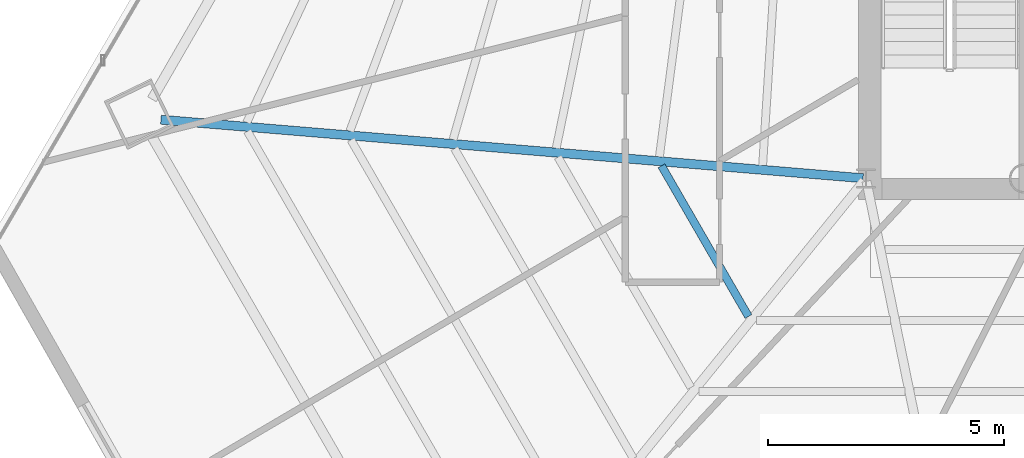
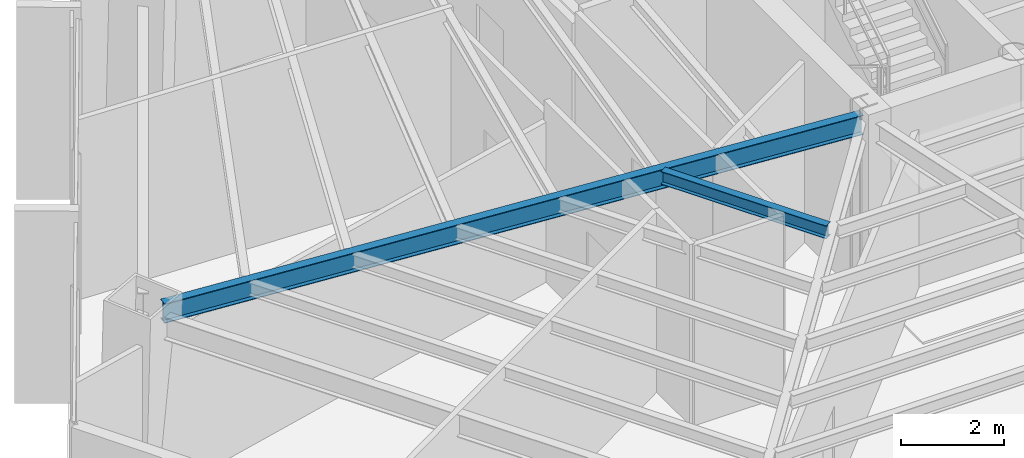
# One storey, part 5 of 37: 2 beams.
"""IFC4 building model written with IfcOpenShell, lengths in metres."""

from ifc_helpers import new_model, si_unit, direction, frame, origin, origin_2d, place, context, subcontext, project, spatial, i_section, extrude, source, transform, mapped, material, material_profile, profile_set, type_object, type_shapes, element, save


model = new_model("IFC4")

# Units and contexts
model_context = context("Model", 3, precision=1e-05, world=origin(), true_north=direction((0.0, 1.0)))
body_context = subcontext(model_context, "Body", "Model", "MODEL_VIEW")
ifc_project = project(units=[si_unit("LENGTHUNIT", "METRE"), si_unit("AREAUNIT", "SQUARE_METRE"), si_unit("VOLUMEUNIT", "CUBIC_METRE"), si_unit("PLANEANGLEUNIT", "RADIAN"), si_unit("MASSUNIT", "GRAM", prefix="KILO")], contexts=[model_context])

# Site, building, storey
site_placement = place(None, origin())
site = spatial("IfcSite", under=ifc_project, at=site_placement, CompositionType="ELEMENT")
building_placement = place(site_placement, origin())
building = spatial("IfcBuilding", under=site, at=building_placement, Name="Caelisora Broadcast Tower", CompositionType="ELEMENT")
storey_placement = place(building_placement, frame((0.0, 0.0, 127.300048828125)))
storey = spatial("IfcBuildingStorey", under=building, at=storey_placement, Name="L33", CompositionType="ELEMENT", Elevation=127.300048828125)

# Beams
ifc_material = material(Name="Steel Grade 350 (AS/NZS 3679.1)", Category="steel")
ifc_material_profile_1 = material_profile(ifc_material, i_section(OverallWidth=0.19091796875, OverallDepth=0.46044921875, WebThickness=0.010009765625, FlangeThickness=0.01611328125, at=origin_2d()), Name="Steel Grade 350 (AS/NZS 3679.1)")
ifc_profile_set_1 = profile_set([ifc_material_profile_1], Name="Steel Grade 350 (AS/NZS 3679.1)")
beam_type_1 = type_object("IfcBeamType", Name="PG06", PredefinedType="BEAM", material=ifc_profile_set_1)
shared_shape_1 = source(origin(), body_context, "Body", "SweptSolid", [
    extrude(i_section(OverallWidth=0.19091796875, OverallDepth=0.46044921875, WebThickness=0.010009765625, FlangeThickness=0.01611328125, at=origin_2d()), origin(), (0.0, 0.0, 1.0), 14.931640625),
])
type_shapes(beam_type_1, [shared_shape_1])
beam_1_placement = place(storey_placement, frame((30.440185546875, 17.405029296875, 4.019775390625), z_axis=(-0.996541697573, 0.083094193527, 0.0), x_axis=(-0.083094193527, -0.996541697573, 0.0)))
element("IfcBeam", 1, at=beam_1_placement, inside=storey, type_object=beam_type_1, Name="L33 beam PG06", PredefinedType="BEAM", context=body_context, shape_type="MappedRepresentation", body=[
    mapped(shared_shape_1, transform((0.0, 0.0, 0.0), scale=1.0)),
])
ifc_material_profile_2 = material_profile(ifc_material, i_section(OverallWidth=0.166015625, OverallDepth=0.30712890625, WebThickness=0.006591796875, FlangeThickness=0.01171875, at=origin_2d()), Name="Steel Grade 350 (AS/NZS 3679.1)")
ifc_profile_set_2 = profile_set([ifc_material_profile_2], Name="Steel Grade 350 (AS/NZS 3679.1)")
beam_type_2 = type_object("IfcBeamType", Name="SB03", PredefinedType="JOIST", material=ifc_profile_set_2)
shared_shape_2 = source(origin(), body_context, "Body", "SweptSolid", [
    extrude(i_section(OverallWidth=0.166015625, OverallDepth=0.30712890625, WebThickness=0.006591796875, FlangeThickness=0.01171875, at=origin_2d()), origin(), (0.0, 0.0, 1.0), 3.68603515625),
])
type_shapes(beam_type_2, [shared_shape_2])
beam_2_placement = place(storey_placement, frame((26.168701171875, 17.667724609375, 4.096435546875), z_axis=(0.50000721447, -0.866021238468, 0.0), x_axis=(0.866021238468, 0.50000721447, 0.0)))
element("IfcBeam", 2, at=beam_2_placement, inside=storey, type_object=beam_type_2, Name="L33 beam SB03", PredefinedType="JOIST", context=body_context, shape_type="MappedRepresentation", body=[
    mapped(shared_shape_2, transform((0.0, 0.0, 0.0), scale=1.0)),
])

save(model, "model.ifc")
